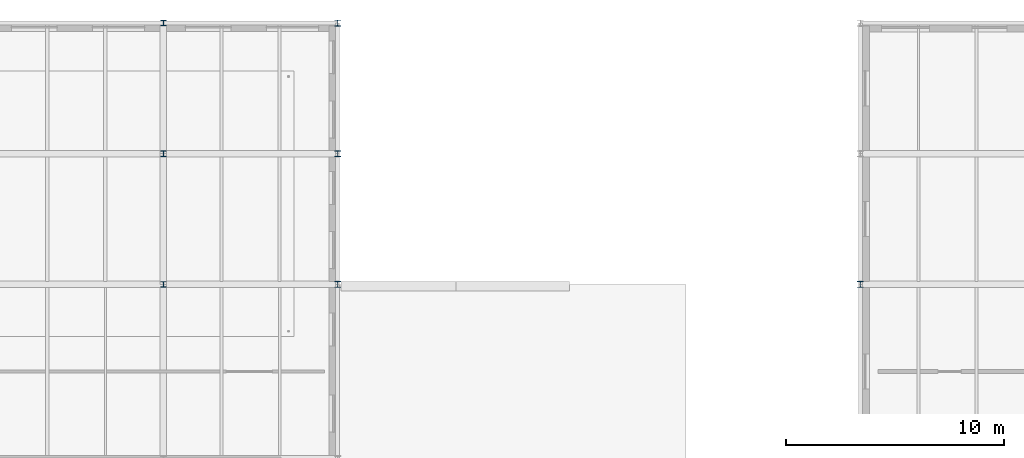
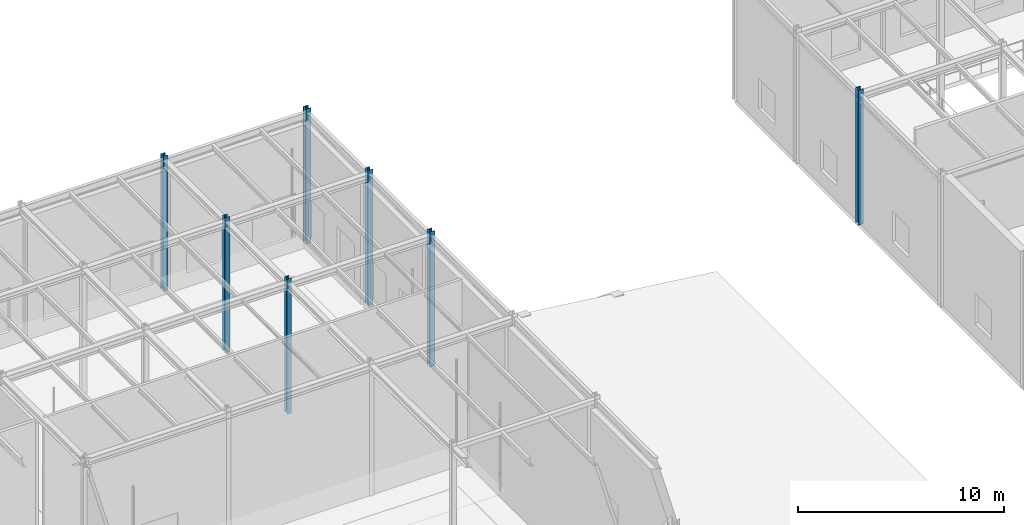
# One storey, part 13 of 138: 7 columns.
"""IFC4 building model written with IfcOpenShell, lengths in metres."""

import ifcopenshell
import ifcopenshell.guid

model = None  # the IFC model being written
_history = None  # IfcOwnerHistory: only IFC2X3 demands one
_inside = {}  # id of a spatial element -> (the spatial element, [elements in it])
_under = {}  # id of a project, library or spatial element -> (it, [spatial elements below it])
_declared = {}  # id of a project -> (the project, [libraries it declares])
_typed = {}  # id of a type object -> (the type object, [elements of that type])
_made_of = {}  # id of a material, layer set ... -> (it, [elements and type objects made of it])


def new_model(schema):
    """Start an empty IFC model of exactly this schema.

    Asked for "IFC4X3", IfcOpenShell would pick the latest addendum, in which some entities
    have other attributes; the version numbers below select the first issue.
    IFC2X3 requires an IfcOwnerHistory on every rooted entity: one is made here for all.
    """
    global model, _history
    if schema == "IFC4X3":
        model = ifcopenshell.file(schema_version=(4, 3, 0, 0))
    else:
        model = ifcopenshell.file(schema=schema)
    _inside.clear()
    _under.clear()
    _declared.clear()
    _typed.clear()
    _made_of.clear()
    _history = None
    if model.schema == "IFC2X3":
        org = make("IfcOrganization", Name="unknown")
        user = make(
            "IfcPersonAndOrganization",
            ThePerson=make("IfcPerson", FamilyName="unknown"),
            TheOrganization=org,
        )
        app = make(
            "IfcApplication",
            ApplicationDeveloper=org,
            Version="unknown",
            ApplicationFullName="unknown",
            ApplicationIdentifier="unknown",
        )
        _history = make(
            "IfcOwnerHistory",
            OwningUser=user,
            OwningApplication=app,
            ChangeAction="ADDED",
            CreationDate=0,
        )
    return model


def make(cls, **values):
    """One entity of the class cls with the attributes given. An attribute that is None is left unset."""
    return model.create_entity(
        cls, **{name: value for name, value in values.items() if value is not None}
    )


def rooted(cls, **values):
    """An entity with a GlobalId (a new one), such as an element, a storey or a relation."""
    return make(cls, GlobalId=ifcopenshell.guid.new(), OwnerHistory=_history, **values)


def si_unit(unit_type, name, prefix=None):
    """IfcSIUnit, for example si_unit("LENGTHUNIT", "METRE", prefix="MILLI")."""
    return make("IfcSIUnit", UnitType=unit_type, Prefix=prefix, Name=name)


def assignment(units):
    """IfcUnitAssignment: the units of a project."""
    return None if units is None else make("IfcUnitAssignment", Units=units)


def point(xyz):
    """IfcCartesianPoint."""
    return None if xyz is None else make("IfcCartesianPoint", Coordinates=xyz)


def direction(xyz):
    """IfcDirection."""
    return None if xyz is None else make("IfcDirection", DirectionRatios=xyz)


def frame(location, z_axis=None, x_axis=None):
    """IfcAxis2Placement3D, a coordinate frame: its origin and axes. An axis left out is left unset."""
    return make(
        "IfcAxis2Placement3D",
        Location=point(location),
        Axis=direction(z_axis),
        RefDirection=direction(x_axis),
    )


def frame_2d(location, x_axis=None):
    """IfcAxis2Placement2D, a coordinate frame in the plane: its origin and x axis."""
    return make(
        "IfcAxis2Placement2D", Location=point(location), RefDirection=direction(x_axis)
    )


def origin():
    """The frame at (0, 0, 0) with its axes left unset."""
    return frame((0.0, 0.0, 0.0))


def origin_2d():
    """The frame at (0, 0) in the plane with its x axis left unset."""
    return frame_2d((0.0, 0.0))


def place(relative_to, where):
    """IfcLocalPlacement: puts the frame where relative to a parent placement (None: the world)."""
    return make(
        "IfcLocalPlacement", PlacementRelTo=relative_to, RelativePlacement=where
    )


def context(
    kind, dimensions, precision=None, world=None, true_north=None, identifier=None
):
    """IfcGeometricRepresentationContext, for example the 3D "Model" context."""
    return make(
        "IfcGeometricRepresentationContext",
        ContextIdentifier=identifier,
        ContextType=kind,
        CoordinateSpaceDimension=dimensions,
        Precision=precision,
        WorldCoordinateSystem=world,
        TrueNorth=true_north,
    )


def subcontext(parent, identifier, kind, view, scale=None):
    """IfcGeometricRepresentationSubContext, for example "Body" below "Model"."""
    return make(
        "IfcGeometricRepresentationSubContext",
        ContextIdentifier=identifier,
        ContextType=kind,
        ParentContext=parent,
        TargetScale=scale,
        TargetView=view,
    )


def project(units=None, contexts=None):
    """IfcProject with its units and contexts."""
    return rooted(
        "IfcProject",
        Name="project",
        RepresentationContexts=contexts,
        UnitsInContext=assignment(units),
    )


def spatial(cls, under=None, at=None, **own):
    """A site, building, storey or space (cls), placed at a placement, below another one or the project."""
    s = rooted(cls, ObjectPlacement=at, **own)
    if under is not None:
        _under.setdefault(under.id(), (under, []))[1].append(s)
    return s


def profile(cls, at=None, kind="AREA", **sizes):
    """A parametric profile (cls). Its sizes go by their IFC names, for example OverallWidth=200.0."""
    return make(cls, ProfileType=kind, Position=at, **sizes)


def i_section(**sizes):
    """IfcIShapeProfileDef."""
    return profile("IfcIShapeProfileDef", **sizes)


def extrude(swept, where, along, depth):
    """IfcExtrudedAreaSolid: the profile swept, set in the frame where, extruded along a direction by depth."""
    return make(
        "IfcExtrudedAreaSolid",
        SweptArea=swept,
        Position=where,
        ExtrudedDirection=direction(along),
        Depth=depth,
    )


def shape(context_of_items, identifier, shape_type, items):
    """IfcShapeRepresentation: the items that make up one representation, for example the "Body"."""
    return make(
        "IfcShapeRepresentation",
        ContextOfItems=context_of_items,
        RepresentationIdentifier=identifier,
        RepresentationType=shape_type,
        Items=items,
    )


def material(Name=None, Category=None):
    """IfcMaterial."""
    return make("IfcMaterial", Name=Name, Category=Category)


def material_profile(
    of_material, cross_section, Name=None, Category=None, Priority=None
):
    """IfcMaterialProfile: a cross section and its material."""
    return make(
        "IfcMaterialProfile",
        Name=Name,
        Material=of_material,
        Profile=cross_section,
        Priority=Priority,
        Category=Category,
    )


def profile_set(profiles, Name=None, composite=None):
    """IfcMaterialProfileSet."""
    return make(
        "IfcMaterialProfileSet",
        Name=Name,
        MaterialProfiles=profiles,
        CompositeProfile=composite,
    )


def made_of(thing, what):
    """Note that an element or type object is made of a material, layer set ...; save() writes the relation."""
    if what is not None:
        _made_of.setdefault(what.id(), (what, []))[1].append(thing)
    return thing


def type_object(cls, material=None, **own):
    """A type object (cls), such as IfcWallType, which elements share."""
    return made_of(rooted(cls, **own), material)


def element(
    cls,
    number,
    at=None,
    inside=None,
    cuts=None,
    type_object=None,
    material=None,
    context=None,
    identifier="Body",
    shape_type=None,
    held_by="IfcProductDefinitionShape",
    body=None,
    shapes=None,
    **own,
):
    """One element of the class cls, such as IfcWall. Its Tag is "e" and its number.

    at: its placement. inside: the storey or other place that contains it. cuts: it is an
    opening in that element (IfcRelVoidsElement). A single representation is given by context,
    identifier, shape_type and body (its items); several are given by shapes. held_by: the class
    of the entity that holds the representations. save() writes the other relations.
    """
    e = rooted(cls, Tag="e%d" % number, ObjectPlacement=at, **own)
    if body is not None:
        shapes = [shape(context, identifier, shape_type, body)]
    if shapes is not None:
        e.Representation = make(held_by, Representations=shapes)
    if inside is not None:
        _inside.setdefault(inside.id(), (inside, []))[1].append(e)
    if cuts is not None:
        rooted(
            "IfcRelVoidsElement", RelatingBuildingElement=cuts, RelatedOpeningElement=e
        )
    if type_object is not None:
        _typed.setdefault(type_object.id(), (type_object, []))[1].append(e)
    return made_of(e, material)


def aggregate(whole, parts):
    """IfcRelAggregates: a whole, such as a stair, and the parts it consists of."""
    return rooted("IfcRelAggregates", RelatingObject=whole, RelatedObjects=parts)


def save(model, path):
    """Write the relations noted so far, then the file.

    IfcRelAggregates (storeys below a building ...), IfcRelContainedInSpatialStructure (elements
    in a storey), IfcRelDefinesByType, IfcRelAssociatesMaterial and IfcRelDeclares: one each for
    every whole, place, type object, material and project.
    """
    for whole, parts in _under.values():
        aggregate(whole, parts)
    for where, things in _inside.values():
        rooted(
            "IfcRelContainedInSpatialStructure",
            RelatedElements=things,
            RelatingStructure=where,
        )
    for kind, things in _typed.values():
        rooted("IfcRelDefinesByType", RelatedObjects=things, RelatingType=kind)
    for what, things in _made_of.values():
        rooted("IfcRelAssociatesMaterial", RelatedObjects=things, RelatingMaterial=what)
    for by, libraries in _declared.values():
        rooted("IfcRelDeclares", RelatingContext=by, RelatedDefinitions=libraries)
    model.write(path)


model = new_model("IFC4")

# Units and contexts
model_context = context("Model", 3, precision=1e-05, world=origin(), true_north=direction((0.0, 1.0)))
body_context = subcontext(model_context, "Body", "Model", "MODEL_VIEW")
ifc_project = project(units=[si_unit("LENGTHUNIT", "METRE"), si_unit("AREAUNIT", "SQUARE_METRE"), si_unit("VOLUMEUNIT", "CUBIC_METRE"), si_unit("PLANEANGLEUNIT", "RADIAN"), si_unit("MASSUNIT", "GRAM", prefix="KILO")], contexts=[model_context])

# Site, building, storey
site_placement = place(None, origin())
site = spatial("IfcSite", under=ifc_project, at=site_placement, CompositionType="ELEMENT")
building_placement = place(site_placement, origin())
building = spatial("IfcBuilding", under=site, at=building_placement, Name="Sundkrona Museum", CompositionType="ELEMENT")
storey_placement = place(building_placement, frame((0.0, 0.0, 9.60009765625)))
storey = spatial("IfcBuildingStorey", under=building, at=storey_placement, Name="L02", CompositionType="ELEMENT", Elevation=9.60009765625)

# Columns
ifc_material = material(Name="Steel S355J2", Category="steel")
ifc_material_profile_1 = material_profile(ifc_material, i_section(OverallWidth=0.260009765625, OverallDepth=0.260009765625, WebThickness=0.010009765625, FlangeThickness=0.017578125, FilletRadius=0.02392578125, at=origin_2d()), Name="HEB 260")
ifc_profile_set_1 = profile_set([ifc_material_profile_1], Name="Steel S355J2")
column_type_1 = type_object("IfcColumnType", Name="C-HEB260", PredefinedType="COLUMN", material=ifc_profile_set_1)
for number, where, z_axis, x_axis, name in (
    (1, (72.0, 102.0, 0.0), (0.0, 0.0, 1.0), (1.0, 0.0, 0.0), "L02 Column P/10"),
    (2, (72.0, 108.0, 0.0), (0.0, 0.0, 1.0), (1.0, 0.0, 0.0), "L02 Column Q/10"),
    (3, (72.0, 114.0, 0.0), (0.0, 0.0, 1.0), (1.0, 0.0, 0.0), "L02 Column R/10"),
):
    element("IfcColumn", number, at=place(storey_placement, frame(where, z_axis=z_axis, x_axis=x_axis)), inside=storey, type_object=column_type_1, Name=name, PredefinedType="COLUMN", context=body_context, shape_type="SweptSolid", body=[
        extrude(i_section(OverallWidth=0.260009765625, OverallDepth=0.260009765625, WebThickness=0.010009765625, FlangeThickness=0.017578125, FilletRadius=0.02392578125, at=origin_2d()), origin(), (0.0, 0.0, 1.0), 8.0),
    ])
ifc_material_profile_2 = material_profile(ifc_material, i_section(OverallWidth=0.280029296875, OverallDepth=0.280029296875, WebThickness=0.010498046875, FlangeThickness=0.01806640625, FilletRadius=0.02392578125, at=origin_2d()), Name="HEB 280")
ifc_profile_set_2 = profile_set([ifc_material_profile_2], Name="Steel S355J2")
column_type_2 = type_object("IfcColumnType", Name="C-HEB280", PredefinedType="COLUMN", material=ifc_profile_set_2)
for number, where, z_axis, x_axis, name in (
    (4, (80.0, 102.0, 0.0), (0.0, 0.0, 1.0), (1.0, 0.0, 0.0), "L02 Column P/11"),
    (5, (80.0, 108.0, 0.0), (0.0, 0.0, 1.0), (1.0, 0.0, 0.0), "L02 Column Q/11"),
    (6, (80.0, 114.0, 0.0), (0.0, 0.0, 1.0), (1.0, 0.0, 0.0), "L02 Column R/11"),
    (7, (104.0, 102.0, 0.0), (0.0, 0.0, 1.0), (1.0, 0.0, 0.0), "L02 Column P/14"),
):
    element("IfcColumn", number, at=place(storey_placement, frame(where, z_axis=z_axis, x_axis=x_axis)), inside=storey, type_object=column_type_2, Name=name, PredefinedType="COLUMN", context=body_context, shape_type="SweptSolid", body=[
        extrude(i_section(OverallWidth=0.280029296875, OverallDepth=0.280029296875, WebThickness=0.010498046875, FlangeThickness=0.01806640625, FilletRadius=0.02392578125, at=origin_2d()), origin(), (0.0, 0.0, 1.0), 8.0),
    ])

save(model, "model.ifc")
